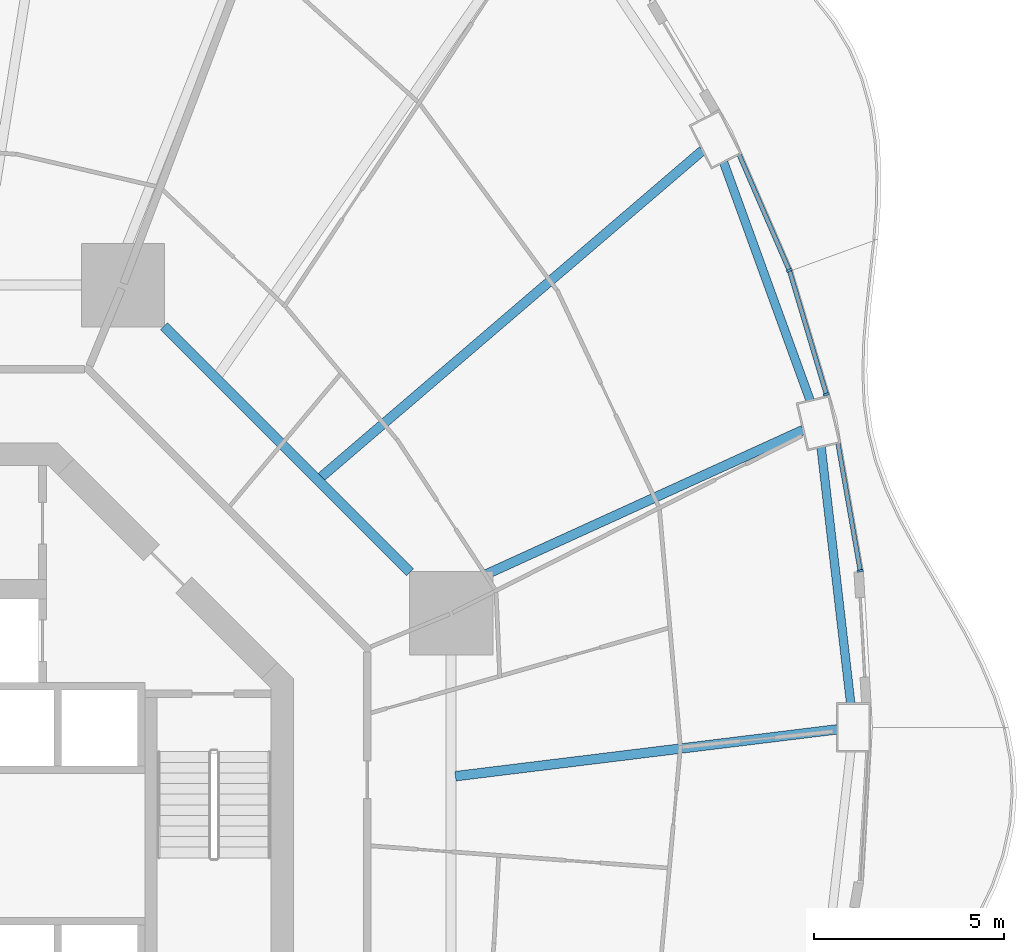
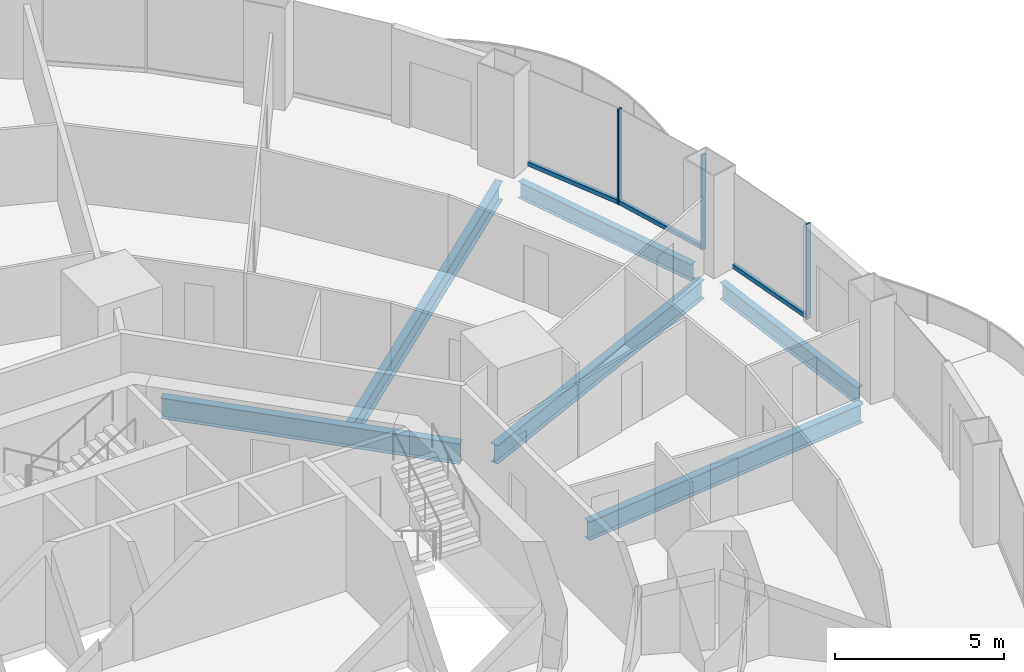
# One storey, part 10 of 22: 6 beams, 6 members, 3 elements without a shape of their own.
"""IFC4 building model written with IfcOpenShell, lengths in metres."""

from ifc_helpers import new_model, si_unit, direction, frame, origin, origin_2d, place, context, subcontext, project, spatial, rectangle, i_section, extrude, material, layer, layer_set, material_profile, profile_set, type_object, element, aggregate, save


model = new_model("IFC4")

# Units and contexts
model_context = context("Model", 3, precision=1e-05, world=origin(), true_north=direction((0.0, 1.0)))
body_context = subcontext(model_context, "Body", "Model", "MODEL_VIEW")
ifc_project = project(units=[si_unit("LENGTHUNIT", "METRE"), si_unit("AREAUNIT", "SQUARE_METRE"), si_unit("VOLUMEUNIT", "CUBIC_METRE"), si_unit("PLANEANGLEUNIT", "RADIAN"), si_unit("MASSUNIT", "GRAM", prefix="KILO")], contexts=[model_context])

# Site, building, storey
site_placement = place(None, origin())
site = spatial("IfcSite", under=ifc_project, at=site_placement, CompositionType="ELEMENT")
building_placement = place(site_placement, origin())
building = spatial("IfcBuilding", under=site, at=building_placement, Name="Nagisa Residences", CompositionType="ELEMENT")
storey_placement = place(building_placement, frame((0.0, 0.0, 88.10009765625)))
storey = spatial("IfcBuildingStorey", under=building, at=storey_placement, Name="L21", CompositionType="ELEMENT", Elevation=88.10009765625)

# Curtain wall, member
ifc_material_1 = material(Name="Concrete-coloured aluminium curtain wall system", Category="concrete")
ifc_layer = layer(ifc_material_1, 0.159912109375)
ifc_layer_set = layer_set([ifc_layer], Name="CW1 CURTAIN WALL")
curtain_wall_type = type_object("IfcCurtainWallType", Name="CW1 CURTAIN WALL", PredefinedType="NOTDEFINED", material=ifc_layer_set)
curtain_wall_1_placement = place(storey_placement, origin())
curtain_wall_1 = element("IfcCurtainWall", 1, at=curtain_wall_1_placement, inside=storey, type_object=curtain_wall_type, Name="cw:CW1:L21:01", PredefinedType="NOTDEFINED")
ifc_material_2 = material(Name="Concrete-coloured aluminium", Category="concrete")
ifc_material_profile_1 = material_profile(ifc_material_2, rectangle(XDim=0.159912109375, YDim=0.06005859375, at=origin_2d()), Name="CW1 MULLION 160x60")
ifc_profile_set_1 = profile_set([ifc_material_profile_1], Name="Concrete-coloured aluminium")
member_type_1 = type_object("IfcMemberType", Name="CW1 MULLION 160x60", PredefinedType="MULLION", material=ifc_profile_set_1)
member_1_placement = place(storey_placement, frame((25.573974609375, 7.2470703125, 0.0), z_axis=(0.0, 0.0, 1.0), x_axis=(-0.985063604377, -0.172190868898, 0.0)))
member_1 = element("IfcMember", 2, at=member_1_placement, type_object=member_type_1, Name="CW1 mullion", PredefinedType="MULLION", context=body_context, shape_type="SweptSolid", body=[
    extrude(rectangle(XDim=0.159912109375, YDim=0.06005859375, at=origin_2d()), origin(), (0.0, 0.0, 1.0), 3.43994140625),
])

curtain_wall_2_placement = place(storey_placement, origin())
curtain_wall_2 = element("IfcCurtainWall", 3, at=curtain_wall_2_placement, inside=storey, type_object=curtain_wall_type, Name="cw:CW1:L21:02", PredefinedType="NOTDEFINED")
member_2_placement = place(storey_placement, frame((24.68017578125, 11.903076171875, 0.0), z_axis=(0.0, 0.0, 1.0), x_axis=(-0.958271310082, -0.285860274038, 0.0)))
member_2 = element("IfcMember", 4, at=member_2_placement, type_object=member_type_1, Name="CW1 mullion", PredefinedType="MULLION", context=body_context, shape_type="SweptSolid", body=[
    extrude(rectangle(XDim=0.159912109375, YDim=0.06005859375, at=origin_2d()), origin(), (0.0, 0.0, 1.0), 3.43994140625),
])

curtain_wall_3_placement = place(storey_placement, origin())
curtain_wall_3 = element("IfcCurtainWall", 5, at=curtain_wall_3_placement, inside=storey, type_object=curtain_wall_type, Name="cw:CW1:L21:03", PredefinedType="NOTDEFINED")
member_3_placement = place(storey_placement, frame((23.701416015625, 15.173583984375, 0.0), z_axis=(0.0, 0.0, 1.0), x_axis=(-0.917543276295, -0.397635934147, 0.0)))
member_3 = element("IfcMember", 6, at=member_3_placement, type_object=member_type_1, Name="CW1 mullion", PredefinedType="MULLION", context=body_context, shape_type="SweptSolid", body=[
    extrude(rectangle(XDim=0.159912109375, YDim=0.06005859375, at=origin_2d()), origin(), (0.0, 0.0, 1.0), 3.43994140625),
])

# Member
ifc_material_3 = material(Name="Concrete-coloured aluminium", Category="concrete")
ifc_material_profile_2 = material_profile(ifc_material_3, rectangle(XDim=0.1201171875, YDim=0.14990234375, at=origin_2d()), Name="CW1 TRANSOM 120x150")
ifc_profile_set_2 = profile_set([ifc_material_profile_2], Name="Concrete-coloured aluminium")
member_type_2 = type_object("IfcMemberType", Name="CW1 TRANSOM 120x150", PredefinedType="USERDEFINED", material=ifc_profile_set_2)
member_4_placement = place(storey_placement, frame((25.579345703125, 7.217529296875, 0.074951171875), z_axis=(-0.17223289558, 0.985056257114, 0.0), x_axis=(-0.985056257114, -0.17223289558, 0.0)))
member_4 = element("IfcMember", 7, at=member_4_placement, type_object=member_type_2, Name="CW1 transom", ObjectType="TRANSOM", PredefinedType="USERDEFINED", context=body_context, shape_type="SweptSolid", body=[
    extrude(rectangle(XDim=0.1201171875, YDim=0.14990234375, at=origin_2d()), origin(), (0.0, 0.0, 1.0), 3.454345703125),
])

aggregate(curtain_wall_1, [member_1, member_4])

member_5_placement = place(storey_placement, frame((24.68896484375, 11.874267578125, 0.074951171875), z_axis=(-0.285882094477, 0.958264800594, 0.0), x_axis=(-0.958264800594, -0.285882094477, 0.0)))
member_5 = element("IfcMember", 8, at=member_5_placement, type_object=member_type_2, Name="CW1 transom", ObjectType="TRANSOM", PredefinedType="USERDEFINED", context=body_context, shape_type="SweptSolid", body=[
    extrude(rectangle(XDim=0.1201171875, YDim=0.14990234375, at=origin_2d()), origin(), (0.0, 0.0, 1.0), 3.423583984375),
])

aggregate(curtain_wall_2, [member_2, member_5])

member_6_placement = place(storey_placement, frame((23.71337890625, 15.146240234375, 0.074951171875), z_axis=(-0.397621629246, 0.917549475481, 0.0), x_axis=(-0.917549475481, -0.397621629246, 0.0)))
member_6 = element("IfcMember", 9, at=member_6_placement, type_object=member_type_2, Name="CW1 transom", ObjectType="TRANSOM", PredefinedType="USERDEFINED", context=body_context, shape_type="SweptSolid", body=[
    extrude(rectangle(XDim=0.1201171875, YDim=0.14990234375, at=origin_2d()), origin(), (0.0, 0.0, 1.0), 3.37939453125),
])

aggregate(curtain_wall_3, [member_3, member_6])

# Beams
ifc_material_4 = material(Name="Steel ASTM A572 Gr 50", Category="steel")
ifc_material_profile_3 = material_profile(ifc_material_4, i_section(OverallWidth=0.264892578125, OverallDepth=0.7529296875, WebThickness=0.01318359375, FlangeThickness=0.01708984375, at=origin_2d()), Name="W760x147")
ifc_profile_set_3 = profile_set([ifc_material_profile_3], Name="Steel ASTM A572 Gr 50")
beam_type_1 = type_object("IfcBeamType", Name="Inner ring beam W760x147", PredefinedType="BEAM", material=ifc_profile_set_3)
beam_1_placement = place(storey_placement, frame((13.6962890625, 7.208740234375, -0.63671875), z_axis=(-0.707106781187, 0.707106781187, 0.0), x_axis=(-0.707106781187, -0.707106781187, 0.0)))
element("IfcBeam", 10, at=beam_1_placement, inside=storey, type_object=beam_type_1, Name="beam:L21:ib1", PredefinedType="BEAM", context=body_context, shape_type="SweptSolid", body=[
    extrude(i_section(OverallWidth=0.264892578125, OverallDepth=0.7529296875, WebThickness=0.01318359375, FlangeThickness=0.01708984375, at=origin_2d()), origin(), (0.0, 0.0, 1.0), 9.1748046875),
])
ifc_material_5 = material(Name="Steel ASTM A572 Gr 50", Category="steel")
ifc_material_profile_4 = material_profile(ifc_material_5, i_section(OverallWidth=0.22802734375, OverallDepth=0.60302734375, WebThickness=0.010498046875, FlangeThickness=0.014892578125, at=origin_2d()), Name="W610x101")
ifc_profile_set_4 = profile_set([ifc_material_profile_4], Name="Steel ASTM A572 Gr 50")
beam_type_2 = type_object("IfcBeamType", Name="Perimeter ring beam W610x101", PredefinedType="BEAM", material=ifc_profile_set_4)
beam_2_placement = place(storey_placement, frame((25.322265625, 3.747802734375, -0.5615234375), z_axis=(-0.114690766503, 0.993401242237, 0.0), x_axis=(-0.993401242237, -0.114690766503, 0.0)))
element("IfcBeam", 11, at=beam_2_placement, inside=storey, type_object=beam_type_2, Name="beam:L21:pb01", PredefinedType="BEAM", context=body_context, shape_type="SweptSolid", body=[
    extrude(i_section(OverallWidth=0.22802734375, OverallDepth=0.60302734375, WebThickness=0.010498046875, FlangeThickness=0.014892578125, at=origin_2d()), origin(), (0.0, 0.0, 1.0), 6.811767578125),
])
beam_3_placement = place(storey_placement, frame((24.251708984375, 11.7412109375, -0.5615234375), z_axis=(-0.341365002286, 0.939930814057, 0.0), x_axis=(-0.939930814057, -0.341365002286, 0.0)))
element("IfcBeam", 12, at=beam_3_placement, inside=storey, type_object=beam_type_2, Name="beam:L21:pb02", PredefinedType="BEAM", context=body_context, shape_type="SweptSolid", body=[
    extrude(i_section(OverallWidth=0.22802734375, OverallDepth=0.60302734375, WebThickness=0.010498046875, FlangeThickness=0.014892578125, at=origin_2d()), origin(), (0.0, 0.0, 1.0), 6.689208984375),
])
ifc_material_6 = material(Name="Steel ASTM A572 Gr 50", Category="steel")
ifc_material_profile_5 = material_profile(ifc_material_6, i_section(OverallWidth=0.2529296875, OverallDepth=0.677978515625, WebThickness=0.01171875, FlangeThickness=0.016357421875, at=origin_2d()), Name="W690x125")
ifc_profile_set_5 = profile_set([ifc_material_profile_5], Name="Steel ASTM A572 Gr 50")
beam_type_3 = type_object("IfcBeamType", Name="Radial beam W690x125", PredefinedType="BEAM", material=ifc_profile_set_5)
beam_4_placement = place(storey_placement, frame((24.96484375, 3.06494140625, -0.59912109375), z_axis=(-0.992547591761, -0.121857614, 0.0), x_axis=(0.121857614, -0.992547591761, 0.0)))
element("IfcBeam", 13, at=beam_4_placement, inside=storey, type_object=beam_type_3, Name="beam:L21:rb01", PredefinedType="BEAM", context=body_context, shape_type="SweptSolid", body=[
    extrude(i_section(OverallWidth=0.2529296875, OverallDepth=0.677978515625, WebThickness=0.01171875, FlangeThickness=0.016357421875, at=origin_2d()), origin(), (0.0, 0.0, 1.0), 10.145751953125),
])
beam_5_placement = place(storey_placement, frame((24.069091796875, 10.963134765625, -0.59912109375), z_axis=(-0.91004744246, -0.414504104288, 0.0), x_axis=(0.414504104288, -0.91004744246, 0.0)))
element("IfcBeam", 14, at=beam_5_placement, inside=storey, type_object=beam_type_3, Name="beam:L21:rb02", PredefinedType="BEAM", context=body_context, shape_type="SweptSolid", body=[
    extrude(i_section(OverallWidth=0.2529296875, OverallDepth=0.677978515625, WebThickness=0.01171875, FlangeThickness=0.016357421875, at=origin_2d()), origin(), (0.0, 0.0, 1.0), 10.544189453125),
])
beam_6_placement = place(storey_placement, frame((21.4150390625, 18.3369140625, -0.59912109375), z_axis=(-0.759585472841, -0.650407494921, 0.0), x_axis=(0.650407494921, -0.759585472841, 0.0)))
element("IfcBeam", 15, at=beam_6_placement, inside=storey, type_object=beam_type_3, Name="beam:L21:rb03", PredefinedType="BEAM", context=body_context, shape_type="SweptSolid", body=[
    extrude(i_section(OverallWidth=0.2529296875, OverallDepth=0.677978515625, WebThickness=0.01171875, FlangeThickness=0.016357421875, at=origin_2d()), origin(), (0.0, 0.0, 1.0), 13.25390625),
])

save(model, "model.ifc")
